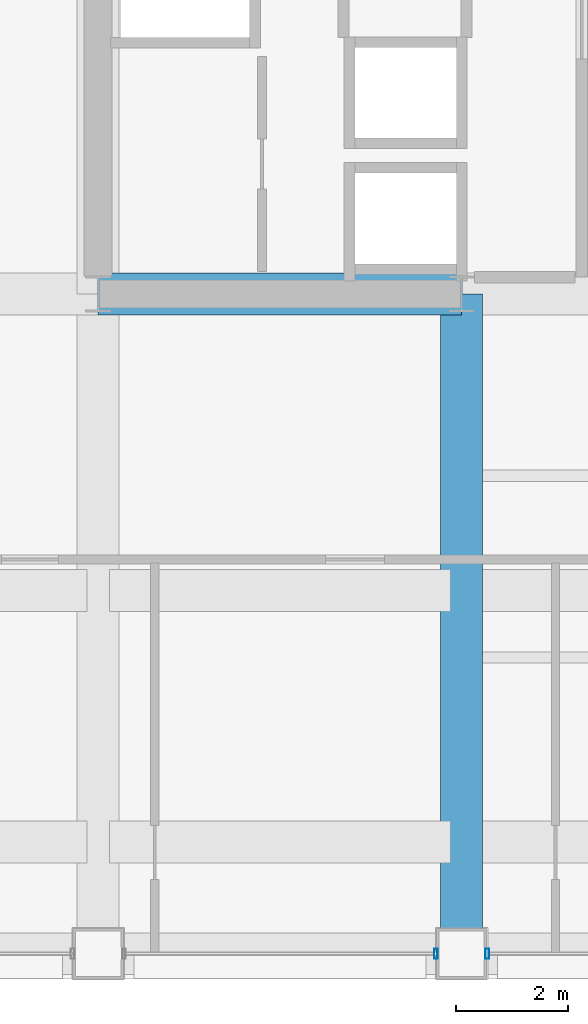
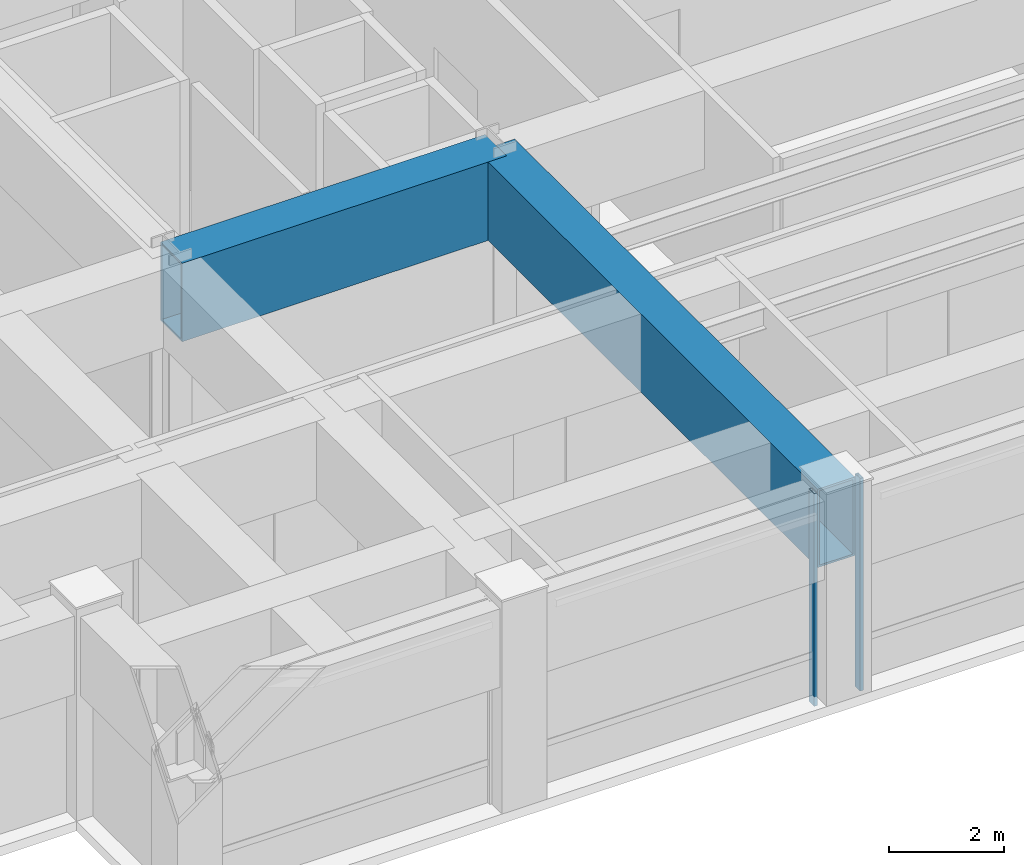
# One storey, part 5 of 29: 2 beams, 2 members, 2 elements without a shape of their own.
"""IFC4 building model written with IfcOpenShell, lengths in metres."""

from ifc_helpers import new_model, si_unit, direction, frame, origin, origin_2d, place, context, subcontext, project, spatial, hollow_rectangle, extrude, material, layer, layer_set, material_profile, profile_set, type_object, element, aggregate, save


model = new_model("IFC4")

# Units and contexts
model_context = context("Model", 3, precision=1e-05, world=origin(), true_north=direction((0.0, 1.0)))
body_context = subcontext(model_context, "Body", "Model", "MODEL_VIEW")
ifc_project = project(units=[si_unit("LENGTHUNIT", "METRE"), si_unit("AREAUNIT", "SQUARE_METRE"), si_unit("VOLUMEUNIT", "CUBIC_METRE"), si_unit("PLANEANGLEUNIT", "RADIAN"), si_unit("MASSUNIT", "GRAM", prefix="KILO")], contexts=[model_context])

# Site, building, storey
site_placement = place(None, origin())
site = spatial("IfcSite", under=ifc_project, at=site_placement, CompositionType="ELEMENT")
building_placement = place(site_placement, origin())
building = spatial("IfcBuilding", under=site, at=building_placement, Name="Brelmoor Portico Tower", CompositionType="ELEMENT")
storey_placement = place(building_placement, frame((0.0, 0.0, 82.800048828125)))
storey = spatial("IfcBuildingStorey", under=building, at=storey_placement, Name="L21", CompositionType="ELEMENT", Elevation=82.800048828125)

# Beams
ifc_material_1 = material(Name="Steel Q355B", Category="steel")
ifc_material_profile_1 = material_profile(ifc_material_1, hollow_rectangle(XDim=0.75, YDim=1.659912109375, WallThickness=0.0419921875, at=origin_2d()), Name="BOX 750x1660x42")
ifc_profile_set_1 = profile_set([ifc_material_profile_1], Name="Steel Q355B")
beam_type = type_object("IfcBeamType", Name="BM-TG-Z2", PredefinedType="BEAM", material=ifc_profile_set_1)
beam_1_placement = place(storey_placement, frame((-8.050048828125, -21.550048828125, 3.469970703125), z_axis=(0.0, 1.0, 0.0), x_axis=(-1.0, 0.0, 0.0)))
element("IfcBeam", 1, at=beam_1_placement, inside=storey, type_object=beam_type, Name="L21 Setback Transfer Girder PG-07", PredefinedType="BEAM", context=body_context, shape_type="SweptSolid", body=[
    extrude(hollow_rectangle(XDim=0.75, YDim=1.659912109375, WallThickness=0.0419921875, at=origin_2d()), origin(), (0.0, 0.0, 1.0), 11.800048828125),
])
beam_2_placement = place(storey_placement, frame((-14.550048828125, -9.75, 3.469970703125), z_axis=(1.0, 0.0, 0.0), x_axis=(0.0, 1.0, 0.0)))
element("IfcBeam", 2, at=beam_2_placement, inside=storey, type_object=beam_type, Name="L21 Setback Transfer Girder PG-20", PredefinedType="BEAM", context=body_context, shape_type="SweptSolid", body=[
    extrude(hollow_rectangle(XDim=0.75, YDim=1.659912109375, WallThickness=0.0419921875, at=origin_2d()), origin(), (0.0, 0.0, 1.0), 6.5),
])

# Curtain wall, member
ifc_material_2 = material(Name="Anodised Aluminium Alloy 6063-T6", Category="aluminium")
ifc_layer = layer(ifc_material_2, 0.179931640625)
ifc_layer_set = layer_set([ifc_layer], Name="Anodised Aluminium Alloy 6063-T6")
curtain_wall_type = type_object("IfcCurtainWallType", Name="CW-TOWER-Z1", PredefinedType="NOTDEFINED", material=ifc_layer_set)
curtain_wall_1_placement = place(storey_placement, origin())
curtain_wall_1 = element("IfcCurtainWall", 3, at=curtain_wall_1_placement, inside=storey, type_object=curtain_wall_type, Name="L21 Curtain Wall CW-L21-01-2", PredefinedType="NOTDEFINED")
ifc_material_profile_2 = material_profile(ifc_material_2, hollow_rectangle(XDim=0.06494140625, YDim=0.179931640625, WallThickness=0.00390625, at=origin_2d()), Name="ALU MULLION 65x180")
ifc_profile_set_2 = profile_set([ifc_material_profile_2], Name="Anodised Aluminium Alloy 6063-T6")
member_type = type_object("IfcMemberType", Name="MB-CW-MULL-180", PredefinedType="MULLION", material=ifc_profile_set_2)
member_1_placement = place(storey_placement, frame((-8.510009765625, -21.550048828125, -0.199951171875), z_axis=(0.0, 0.0, 1.0), x_axis=(1.0, 0.0, 0.0)))
member_1 = element("IfcMember", 4, at=member_1_placement, type_object=member_type, Name="CW-L21-01-2 Mullion 01", PredefinedType="MULLION", context=body_context, shape_type="SweptSolid", body=[
    extrude(hollow_rectangle(XDim=0.06494140625, YDim=0.179931640625, WallThickness=0.00390625, at=origin_2d()), origin(), (0.0, 0.0, 1.0), 4.5),
])
aggregate(curtain_wall_1, [member_1])

curtain_wall_2_placement = place(storey_placement, origin())
curtain_wall_2 = element("IfcCurtainWall", 5, at=curtain_wall_2_placement, inside=storey, type_object=curtain_wall_type, Name="L21 Curtain Wall CW-L21-01-3", PredefinedType="NOTDEFINED")
member_2_placement = place(storey_placement, frame((-7.590087890625, -21.550048828125, -0.199951171875), z_axis=(0.0, 0.0, 1.0), x_axis=(1.0, 0.0, 0.0)))
member_2 = element("IfcMember", 6, at=member_2_placement, type_object=member_type, Name="CW-L21-01-3 Mullion 00", PredefinedType="MULLION", context=body_context, shape_type="SweptSolid", body=[
    extrude(hollow_rectangle(XDim=0.06494140625, YDim=0.179931640625, WallThickness=0.00390625, at=origin_2d()), origin(), (0.0, 0.0, 1.0), 4.5),
])
aggregate(curtain_wall_2, [member_2])

save(model, "model.ifc")
